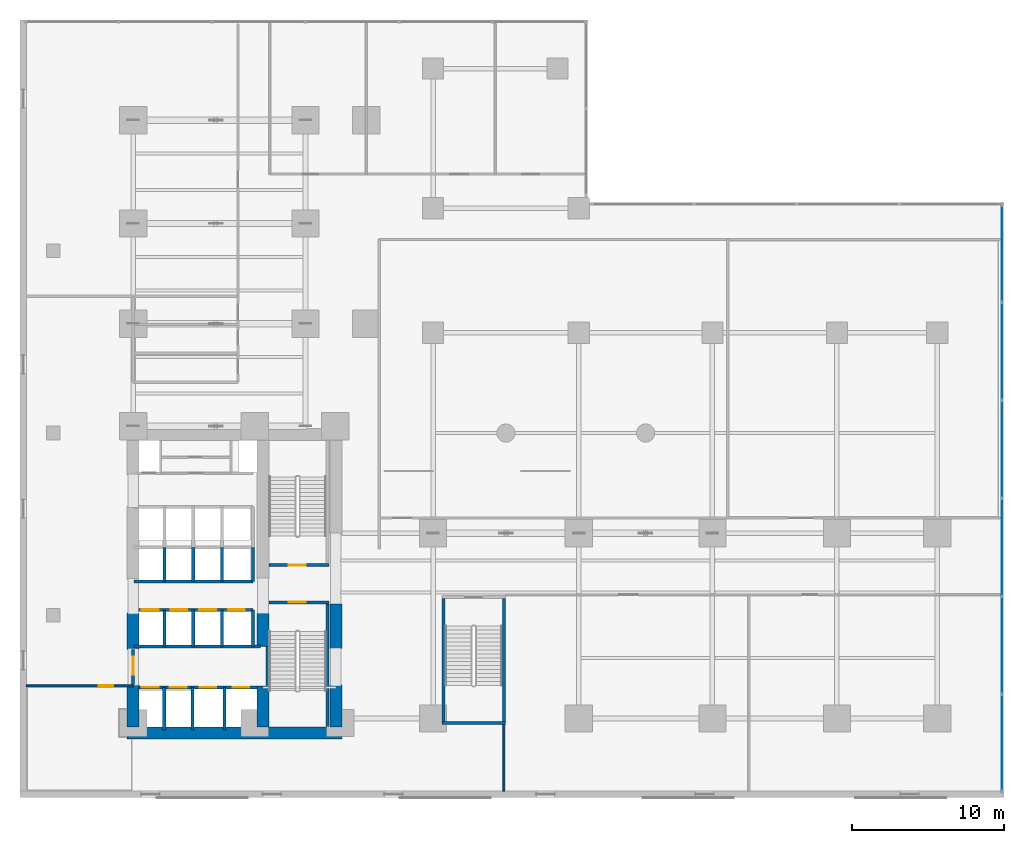
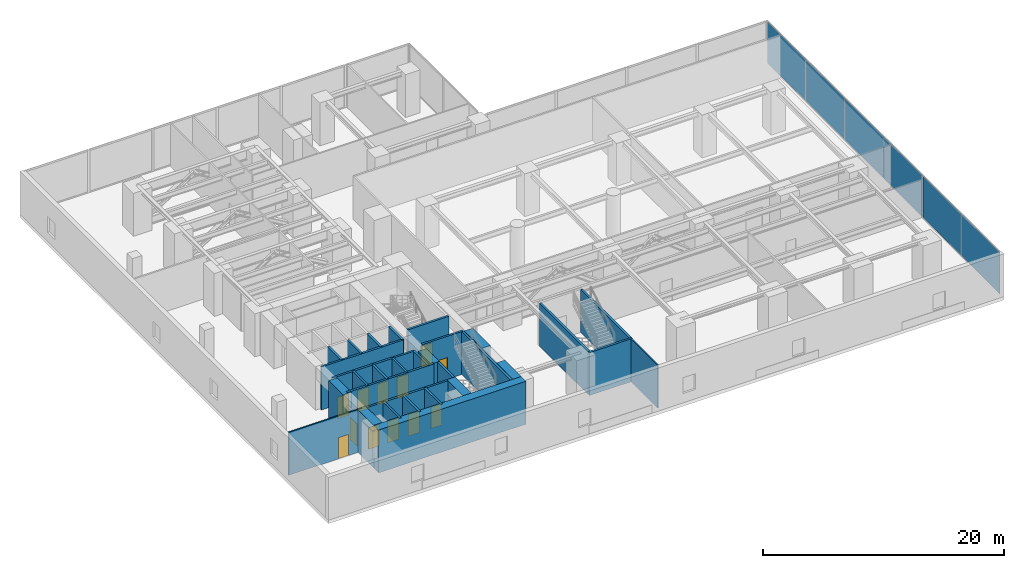
# One storey, part 14 of 18: 32 walls, 12 doors, 6 plates, 12 openings, 1 element without a shape of its own.
"""IFC4 building model written with IfcOpenShell, lengths in metres."""

from ifc_helpers import new_model, si_unit, direction, frame, frame_2d, origin, origin_with_axes, origin_2d, place, context, subcontext, project, spatial, rectangle, extrude, source, transform, mapped, material, layer, layer_set, type_object, element, fill, aggregate, save


model = new_model("IFC4")

# Units and contexts
model_context = context("Model", 3, precision=1e-05, world=origin(), true_north=direction((0.0, 1.0)))
body_context = subcontext(model_context, "Body", "Model", "MODEL_VIEW")
ifc_project = project(units=[si_unit("LENGTHUNIT", "METRE"), si_unit("AREAUNIT", "SQUARE_METRE"), si_unit("VOLUMEUNIT", "CUBIC_METRE"), si_unit("PLANEANGLEUNIT", "RADIAN"), si_unit("MASSUNIT", "GRAM", prefix="KILO")], contexts=[model_context])

# Site, building, storey
site_placement = place(None, origin())
site = spatial("IfcSite", under=ifc_project, at=site_placement, CompositionType="ELEMENT")
building_placement = place(site_placement, origin())
building = spatial("IfcBuilding", under=site, at=building_placement, Name="Kolvaren Waterfront Exchange", CompositionType="ELEMENT")
storey_placement = place(building_placement, frame((0.0, 0.0, 24.800048828125)))
storey = spatial("IfcBuildingStorey", under=building, at=storey_placement, Name="L06", CompositionType="ELEMENT", Elevation=24.800048828125)

# Curtain wall, plates
ifc_material_1 = material(Name="Anodised bronze aluminium 6063-T6", Category="aluminium")
ifc_layer_1 = layer(ifc_material_1, 0.219970703125, Name="Anodised bronze aluminium 6063-T6")
ifc_layer_set_1 = layer_set([ifc_layer_1], Name="Anodised bronze aluminium 6063-T6")
curtain_wall_type = type_object("IfcCurtainWallType", Name="ARC-CW-SYS4", PredefinedType="USERDEFINED", material=ifc_layer_set_1)
curtain_wall_placement = place(storey_placement, origin())
curtain_wall = element("IfcCurtainWall", 1, at=curtain_wall_placement, inside=storey, type_object=curtain_wall_type, Name="L06 stick curtain wall CW4 (CW-L06-E1)", ObjectType="STICK CURTAIN WALL", PredefinedType="USERDEFINED")
ifc_material_2 = material(Name="High-span laminated vision glass", Category="glass")
ifc_layer_2 = layer(ifc_material_2, 0.035888671875, Name="High-span laminated vision glass")
ifc_layer_set_2 = layer_set([ifc_layer_2], Name="High-span laminated vision glass")
plate_type = type_object("IfcPlateType", Name="ARC-CWP-36", PredefinedType="CURTAIN_PANEL", material=ifc_layer_set_2)
shared_shape_1 = source(origin_with_axes(), body_context, "Body", "SweptSolid", [
    extrude(rectangle(XDim=6.331787109375, YDim=0.035888671875, at=origin_2d()), origin(), (0.0, 0.0, 1.0), 4.199951171875),
])
plate_1_placement = place(storey_placement, frame((64.659912109375, 3.595947265625, 0.0751953125), z_axis=(0.0, 0.0, 1.0), x_axis=(0.0, 1.0, 0.0)))
plate_1 = element("IfcPlate", 2, at=plate_1_placement, type_object=plate_type, Name="CW4 panel 1.1", PredefinedType="CURTAIN_PANEL", context=body_context, shape_type="MappedRepresentation", body=[
    mapped(shared_shape_1, transform((0.0, 0.0, 0.0), x_axis=(1.0, 0.0, 0.0), y_axis=(0.0, 1.0, 0.0), z_axis=(0.0, 0.0, 1.0), scale=1.0)),
])
plate_2_placement = place(storey_placement, frame((64.659912109375, 35.814208984375, 0.0751953125), z_axis=(0.0, 0.0, 1.0), x_axis=(0.0, 1.0, 0.0)))
plate_2 = element("IfcPlate", 3, at=plate_2_placement, type_object=plate_type, Name="CW4 panel 6.1", PredefinedType="CURTAIN_PANEL", context=body_context, shape_type="MappedRepresentation", body=[
    mapped(shared_shape_1, transform((0.0, 0.0, 0.0), x_axis=(1.0, 0.0, 0.0), y_axis=(0.0, 1.0, 0.0), z_axis=(0.0, 0.0, 1.0), scale=1.0)),
])
shared_shape_2 = source(origin_with_axes(), body_context, "Body", "SweptSolid", [
    extrude(rectangle(XDim=6.37158203125, YDim=0.035888671875, at=origin_2d()), origin(), (0.0, 0.0, 1.0), 4.199951171875),
])
plate_3_placement = place(storey_placement, frame((64.659912109375, 10.027587890625, 0.0751953125), z_axis=(0.0, 0.0, 1.0), x_axis=(0.0, 1.0, 0.0)))
plate_3 = element("IfcPlate", 4, at=plate_3_placement, type_object=plate_type, Name="CW4 panel 2.1", PredefinedType="CURTAIN_PANEL", context=body_context, shape_type="MappedRepresentation", body=[
    mapped(shared_shape_2, transform((0.0, 0.0, 0.0), x_axis=(1.0, 0.0, 0.0), y_axis=(0.0, 1.0, 0.0), z_axis=(0.0, 0.0, 1.0), scale=1.0)),
])
plate_4_placement = place(storey_placement, frame((64.659912109375, 16.479248046875, 0.0751953125), z_axis=(0.0, 0.0, 1.0), x_axis=(0.0, 1.0, 0.0)))
plate_4 = element("IfcPlate", 5, at=plate_4_placement, type_object=plate_type, Name="CW4 panel 3.1", PredefinedType="CURTAIN_PANEL", context=body_context, shape_type="MappedRepresentation", body=[
    mapped(shared_shape_2, transform((0.0, 0.0, 0.0), x_axis=(1.0, 0.0, 0.0), y_axis=(0.0, 1.0, 0.0), z_axis=(0.0, 0.0, 1.0), scale=1.0)),
])
plate_5_placement = place(storey_placement, frame((64.659912109375, 22.930908203125, 0.0751953125), z_axis=(0.0, 0.0, 1.0), x_axis=(0.0, 1.0, 0.0)))
plate_5 = element("IfcPlate", 6, at=plate_5_placement, type_object=plate_type, Name="CW4 panel 4.1", PredefinedType="CURTAIN_PANEL", context=body_context, shape_type="MappedRepresentation", body=[
    mapped(shared_shape_2, transform((0.0, 0.0, 0.0), x_axis=(1.0, 0.0, 0.0), y_axis=(0.0, 1.0, 0.0), z_axis=(0.0, 0.0, 1.0), scale=1.0)),
])
plate_6_placement = place(storey_placement, frame((64.659912109375, 29.382568359375, 0.0751953125), z_axis=(0.0, 0.0, 1.0), x_axis=(0.0, 1.0, 0.0)))
plate_6 = element("IfcPlate", 7, at=plate_6_placement, type_object=plate_type, Name="CW4 panel 5.1", PredefinedType="CURTAIN_PANEL", context=body_context, shape_type="MappedRepresentation", body=[
    mapped(shared_shape_2, transform((0.0, 0.0, 0.0), x_axis=(1.0, 0.0, 0.0), y_axis=(0.0, 1.0, 0.0), z_axis=(0.0, 0.0, 1.0), scale=1.0)),
])
aggregate(curtain_wall, [plate_1, plate_3, plate_4, plate_5, plate_6, plate_2])

# Wall, opening, door
ifc_material_3 = material(Name="Precast concrete C40/50", Category="concrete")
ifc_layer_3 = layer(ifc_material_3, 0.199951171875, Name="Precast concrete C40/50")
ifc_layer_set_3 = layer_set([ifc_layer_3], Name="Precast concrete C40/50")
wall_type_1 = type_object("IfcWallType", Name="ARC-FIRE-200", PredefinedType="PARTITIONING", material=ifc_layer_set_3)
wall_1_placement = place(storey_placement, frame((16.39990234375, 12.85009765625, 0.0), z_axis=(0.0, 0.0, 1.0), x_axis=(1.0, 0.0, 0.0)))
wall_1 = element("IfcWall", 8, at=wall_1_placement, inside=storey, type_object=wall_type_1, Name="L06 interior wall PW-L06-ST1-THROAT-S", PredefinedType="PARTITIONING", context=body_context, shape_type="SweptSolid", body=[
    extrude(rectangle(XDim=3.960205078125, YDim=0.199951171875, at=frame_2d((1.97998046875, 0.0))), origin(), (0.0, 0.0, 1.0), 4.349853515625),
])
opening_1_placement = place(wall_1_placement, frame((1.3037109375, 0.0, 0.0)))
opening_1 = element("IfcOpeningElement", 9, at=opening_1_placement, cuts=wall_1, Name="Opening FD2", PredefinedType="OPENING", context=body_context, shape_type="SweptSolid", body=[
    extrude(rectangle(XDim=1.10009765625, YDim=2.199951171875, at=frame_2d((0.550048828125, 1.10009765625))), frame((0.0, 0.10986328125, 0.0), z_axis=(0.0, -1.0, 0.0), x_axis=(1.0, 0.0, 0.0)), (0.0, 0.0, 1.0), 0.219970703125),
])
ifc_material_4 = material(Name="Pressed steel smoke-seal fire door", Category="steel")
door_type_1 = type_object("IfcDoorType", Name="ARC-FD-1100", OperationType="NOTDEFINED", PredefinedType="DOOR", material=ifc_material_4)
door_1_placement = place(opening_1_placement, frame((1.10009765625, 0.0, 0.0), z_axis=(0.0, 0.0, 1.0), x_axis=(-1.0, 0.0, 0.0)))
door_1 = element("IfcDoor", 10, at=door_1_placement, inside=storey, type_object=door_type_1, Name="L06 door DR-L06-ST1-IN (FD2)", OperationType="SINGLE_SWING_LEFT", OverallHeight=2.199951171875, OverallWidth=1.10009765625, PredefinedType="DOOR", context=body_context, shape_type="SweptSolid", body=[
    extrude(rectangle(XDim=1.10009765625, YDim=2.199951171875, at=frame_2d((0.550048828125, 1.10009765625))), frame((0.0, 0.02490234375, 0.0), z_axis=(0.0, -1.0, 0.0), x_axis=(1.0, 0.0, 0.0)), (0.0, 0.0, 1.0), 0.050048828125),
])
fill(opening_1, door_1)

wall_2_placement = place(storey_placement, frame((16.409912109375, 15.300048828125, 0.0), z_axis=(0.0, 0.0, 1.0), x_axis=(1.0, 0.0, 0.0)))
wall_2 = element("IfcWall", 11, at=wall_2_placement, inside=storey, type_object=wall_type_1, Name="L06 interior wall PW-L06-ST2-THROAT-N", PredefinedType="PARTITIONING", context=body_context, shape_type="SweptSolid", body=[
    extrude(rectangle(XDim=3.9501953125, YDim=0.199951171875, at=frame_2d((1.97509765625, 0.0))), origin(), (0.0, 0.0, 1.0), 4.349853515625),
])
opening_2_placement = place(wall_2_placement, frame((1.293701171875, 0.0, 0.0)))
opening_2 = element("IfcOpeningElement", 12, at=opening_2_placement, cuts=wall_2, Name="Opening FD2", PredefinedType="OPENING", context=body_context, shape_type="SweptSolid", body=[
    extrude(rectangle(XDim=1.10009765625, YDim=2.199951171875, at=frame_2d((0.550048828125, 1.10009765625))), frame((0.0, 0.10986328125, 0.0), z_axis=(0.0, -1.0, 0.0), x_axis=(1.0, 0.0, 0.0)), (0.0, 0.0, 1.0), 0.219970703125),
])
door_2_placement = place(opening_2_placement, origin())
door_2 = element("IfcDoor", 13, at=door_2_placement, inside=storey, type_object=door_type_1, Name="L06 door DR-L06-ST2-IN (FD2)", OperationType="SINGLE_SWING_RIGHT", OverallHeight=2.199951171875, OverallWidth=1.10009765625, PredefinedType="DOOR", context=body_context, shape_type="SweptSolid", body=[
    extrude(rectangle(XDim=1.10009765625, YDim=2.199951171875, at=frame_2d((0.550048828125, 1.10009765625))), frame((0.0, 0.02490234375, 0.0), z_axis=(0.0, -1.0, 0.0), x_axis=(1.0, 0.0, 0.0)), (0.0, 0.0, 1.0), 0.050048828125),
])
fill(opening_2, door_2)

# Wall
wall_3_placement = place(storey_placement, frame((7.5, 9.949951171875, 0.0), z_axis=(0.0, 0.0, 1.0), x_axis=(1.0, 0.0, 0.0)))
element("IfcWall", 14, at=wall_3_placement, inside=storey, type_object=wall_type_1, Name="L06 interior wall PW-L06-FF-N", PredefinedType="PARTITIONING", context=body_context, shape_type="SweptSolid", body=[
    extrude(rectangle(XDim=8.35009765625, YDim=0.199951171875, at=frame_2d((4.175048828125, 0.0))), origin(), (0.0, 0.0, 1.0), 4.349853515625),
])

# Wall, opening, door
wall_4_placement = place(storey_placement, frame((7.449951171875, 7.449951171875, 0.0), z_axis=(0.0, 0.0, 1.0), x_axis=(0.0, 1.0, 0.0)))
wall_4 = element("IfcWall", 15, at=wall_4_placement, inside=storey, type_object=wall_type_1, Name="L06 interior wall PW-L06-FF-W-DOOR", PredefinedType="PARTITIONING", context=body_context, shape_type="SweptSolid", body=[
    extrude(rectangle(XDim=2.300048828125, YDim=0.199951171875, at=frame_2d((1.14990234375, 0.0))), origin(), (0.0, 0.0, 1.0), 3.1298828125),
])
opening_3_placement = place(wall_4_placement, frame((0.63330078125, 0.0, 0.0)))
opening_3 = element("IfcOpeningElement", 16, at=opening_3_placement, cuts=wall_4, Name="Opening FD3", PredefinedType="OPENING", context=body_context, shape_type="SweptSolid", body=[
    extrude(rectangle(XDim=1.199951171875, YDim=2.25, at=frame_2d((0.60009765625, 1.125))), frame((0.0, 0.10986328125, 0.0), z_axis=(0.0, -1.0, 0.0), x_axis=(1.0, 0.0, 0.0)), (0.0, 0.0, 1.0), 0.219970703125),
])
ifc_material_5 = material(Name="Pressed steel fire door", Category="steel")
door_type_2 = type_object("IfcDoorType", Name="ARC-FD-1200", OperationType="NOTDEFINED", PredefinedType="DOOR", material=ifc_material_5)
door_3_placement = place(opening_3_placement, frame((1.199951171875, 0.0, 0.0), z_axis=(0.0, 0.0, 1.0), x_axis=(-1.0, 0.0, 0.0)))
door_3 = element("IfcDoor", 17, at=door_3_placement, inside=storey, type_object=door_type_2, Name="L06 door DR-L06-FF-OUT (FD3)", OperationType="SINGLE_SWING_RIGHT", OverallHeight=2.25, OverallWidth=1.199951171875, PredefinedType="DOOR", context=body_context, shape_type="SweptSolid", body=[
    extrude(rectangle(XDim=1.199951171875, YDim=2.25, at=frame_2d((0.60009765625, 1.125))), frame((0.0, 0.02490234375, 0.0), z_axis=(0.0, -1.0, 0.0), x_axis=(1.0, 0.0, 0.0)), (0.0, 0.0, 1.0), 0.050048828125),
])
fill(opening_3, door_3)

ifc_material_6 = material(Name="Acoustic gypsum steel stud", Category="steel")
ifc_layer_4 = layer(ifc_material_6, 0.125, Name="Acoustic gypsum steel stud")
ifc_layer_set_4 = layer_set([ifc_layer_4], Name="Acoustic gypsum steel stud")
wall_type_2 = type_object("IfcWallType", Name="ARC-PART-125", PredefinedType="PARTITIONING", material=ifc_layer_set_4)
wall_5_placement = place(storey_placement, frame((0.419921875, 7.35009765625, 0.0), z_axis=(0.0, 0.0, 1.0), x_axis=(1.0, 0.0, 0.0)))
wall_5 = element("IfcWall", 18, at=wall_5_placement, inside=storey, type_object=wall_type_2, Name="L06 interior wall PW-L06-POD-WS-N", PredefinedType="PARTITIONING", context=body_context, shape_type="SweptSolid", body=[
    extrude(rectangle(XDim=7.030029296875, YDim=0.125, at=frame_2d((3.51513671875, 0.0))), origin(), (0.0, 0.0, 1.0), 4.349853515625),
])
opening_4_placement = place(wall_5_placement, frame((4.780029296875, 0.0, 0.0)))
opening_4 = element("IfcOpeningElement", 19, at=opening_4_placement, cuts=wall_5, Name="Opening D02", PredefinedType="OPENING", context=body_context, shape_type="SweptSolid", body=[
    extrude(rectangle(XDim=0.949951171875, YDim=2.14990234375, at=frame_2d((0.47509765625, 1.074951171875))), frame((0.0, 0.072509765625, 0.0), z_axis=(0.0, -1.0, 0.0), x_axis=(1.0, 0.0, 0.0)), (0.0, 0.0, 1.0), 0.14501953125),
])
ifc_material_7 = material(Name="Oak veneer acoustic timber", Category="wood")
door_type_3 = type_object("IfcDoorType", Name="ARC-DR-950", OperationType="NOTDEFINED", PredefinedType="DOOR", material=ifc_material_7)
door_4_placement = place(opening_4_placement, origin())
door_4 = element("IfcDoor", 20, at=door_4_placement, inside=storey, type_object=door_type_3, Name="L06 door DR-L06-POD-WS-D (D02)", OperationType="SINGLE_SWING_LEFT", OverallHeight=2.14990234375, OverallWidth=0.949951171875, PredefinedType="DOOR", context=body_context, shape_type="SweptSolid", body=[
    extrude(rectangle(XDim=0.949951171875, YDim=2.14990234375, at=frame_2d((0.47509765625, 1.074951171875))), frame((0.0, 0.02490234375, 0.0), z_axis=(0.0, -1.0, 0.0), x_axis=(1.0, 0.0, 0.0)), (0.0, 0.0, 1.0), 0.050048828125),
])
fill(opening_4, door_4)

# Walls
wall_6_placement = place(storey_placement, frame((31.860107421875, 0.419921875, 0.0), z_axis=(0.0, 0.0, 1.0), x_axis=(0.0, 1.0, 0.0)))
element("IfcWall", 21, at=wall_6_placement, inside=storey, type_object=wall_type_2, Name="L06 interior wall PW-L06-POD-SE-W", PredefinedType="PARTITIONING", context=body_context, shape_type="SweptSolid", body=[
    extrude(rectangle(XDim=4.380126953125, YDim=0.125, at=frame_2d((2.18994140625, 0.0))), origin(), (0.0, 0.0, 1.0), 4.349853515625),
])
ifc_material_8 = material(Name="Concrete C40/50", Category="concrete")
ifc_layer_5 = layer(ifc_material_8, 0.199951171875, Name="Concrete C40/50")
ifc_layer_set_5 = layer_set([ifc_layer_5], Name="Concrete C40/50")
wall_type_3 = type_object("IfcWallType", Name="ARC-SHAFT-200", PredefinedType="PARTITIONING", material=ifc_layer_set_5)
wall_7_placement = place(storey_placement, frame((16.300048828125, 7.360107421875, 0.0), z_axis=(0.0, 0.0, 1.0), x_axis=(0.0, 1.0, 0.0)))
element("IfcWall", 22, at=wall_7_placement, inside=storey, type_object=wall_type_3, Name="L06 structural stairwell wall PW-L06-ST1-W", PredefinedType="SHEAR", context=body_context, shape_type="SweptSolid", body=[
    extrude(rectangle(XDim=2.579833984375, YDim=0.199951171875, at=frame_2d((1.2900390625, 0.0))), origin(), (0.0, 0.0, 1.0), 4.349853515625),
])
wall_8_placement = place(storey_placement, frame((20.260009765625, 4.659912109375, 0.0), z_axis=(0.0, 0.0, 1.0), x_axis=(0.0, 1.0, 0.0)))
element("IfcWall", 23, at=wall_8_placement, inside=storey, type_object=wall_type_3, Name="L06 structural stairwell wall PW-L06-ST1-E", PredefinedType="SHEAR", context=body_context, shape_type="SweptSolid", body=[
    extrude(rectangle(XDim=8.090087890625, YDim=0.199951171875, at=frame_2d((4.044921875, 0.0))), origin(), (0.0, 0.0, 1.0), 4.349853515625),
])
for number, where, z_axis, x_axis, name in (
    (24, (27.89990234375, 5.0, 0.0), (0.0, 0.0, 1.0), (0.0, 1.0, 0.0), "L06 structural stairwell wall PW-L06-ST3-W"),
    (25, (31.860107421875, 5.0, 0.0), (0.0, 0.0, 1.0), (0.0, 1.0, 0.0), "L06 structural stairwell wall PW-L06-ST3-E"),
):
    element("IfcWall", number, at=place(storey_placement, frame(where, z_axis=z_axis, x_axis=x_axis)), inside=storey, type_object=wall_type_3, Name=name, PredefinedType="SHEAR", context=body_context, shape_type="SweptSolid", body=[
        extrude(rectangle(XDim=8.10009765625, YDim=0.199951171875, at=frame_2d((4.050048828125, 0.0))), origin(), (0.0, 0.0, 1.0), 4.349853515625),
    ])
wall_9_placement = place(storey_placement, frame((27.800048828125, 4.89990234375, 0.0), z_axis=(0.0, 0.0, 1.0), x_axis=(1.0, 0.0, 0.0)))
element("IfcWall", 26, at=wall_9_placement, inside=storey, type_object=wall_type_3, Name="L06 structural stairwell wall PW-L06-ST3-S", PredefinedType="SHEAR", context=body_context, shape_type="SweptSolid", body=[
    extrude(rectangle(XDim=4.159912109375, YDim=0.199951171875, at=frame_2d((2.080078125, 0.0))), origin(), (0.0, 0.0, 1.0), 4.349853515625),
])

# Wall, openings, doors
wall_10_placement = place(storey_placement, frame((7.5, 7.25, 0.0), z_axis=(0.0, 0.0, 1.0), x_axis=(1.0, 0.0, 0.0)))
wall_10 = element("IfcWall", 27, at=wall_10_placement, inside=storey, type_object=wall_type_3, Name="L06 interior wall PW-L06-FF-S", PredefinedType="PARTITIONING", context=body_context, shape_type="SweptSolid", body=[
    extrude(rectangle(XDim=8.35009765625, YDim=0.199951171875, at=frame_2d((4.175048828125, 0.0))), origin(), (0.0, 0.0, 1.0), 4.349853515625),
])
opening_5_placement = place(wall_10_placement, frame((0.530029296875, 0.0, 0.0)))
opening_5 = element("IfcOpeningElement", 28, at=opening_5_placement, cuts=wall_10, Name="Opening LD1", PredefinedType="OPENING", context=body_context, shape_type="SweptSolid", body=[
    extrude(rectangle(XDim=1.10009765625, YDim=2.199951171875, at=frame_2d((0.550048828125, 1.10009765625))), frame((0.0, 0.10986328125, 0.0), z_axis=(0.0, -1.0, 0.0), x_axis=(1.0, 0.0, 0.0)), (0.0, 0.0, 1.0), 0.219970703125),
])
opening_6_placement = place(wall_10_placement, frame((2.3701171875, 0.0, 0.0)))
opening_6 = element("IfcOpeningElement", 29, at=opening_6_placement, cuts=wall_10, Name="Opening LD1", PredefinedType="OPENING", context=body_context, shape_type="SweptSolid", body=[
    extrude(rectangle(XDim=1.10009765625, YDim=2.199951171875, at=frame_2d((0.550048828125, 1.10009765625))), frame((0.0, 0.10986328125, 0.0), z_axis=(0.0, -1.0, 0.0), x_axis=(1.0, 0.0, 0.0)), (0.0, 0.0, 1.0), 0.219970703125),
])
opening_7_placement = place(wall_10_placement, frame((4.330078125, 0.0, 0.0)))
opening_7 = element("IfcOpeningElement", 30, at=opening_7_placement, cuts=wall_10, Name="Opening LD1", PredefinedType="OPENING", context=body_context, shape_type="SweptSolid", body=[
    extrude(rectangle(XDim=1.10009765625, YDim=2.199951171875, at=frame_2d((0.550048828125, 1.10009765625))), frame((0.0, 0.10986328125, 0.0), z_axis=(0.0, -1.0, 0.0), x_axis=(1.0, 0.0, 0.0)), (0.0, 0.0, 1.0), 0.219970703125),
])
opening_8_placement = place(wall_10_placement, frame((6.5, 0.0, 0.0)))
opening_8 = element("IfcOpeningElement", 31, at=opening_8_placement, cuts=wall_10, Name="Opening LD1", PredefinedType="OPENING", context=body_context, shape_type="SweptSolid", body=[
    extrude(rectangle(XDim=1.10009765625, YDim=2.199951171875, at=frame_2d((0.550048828125, 1.10009765625))), frame((0.0, 0.10986328125, 0.0), z_axis=(0.0, -1.0, 0.0), x_axis=(1.0, 0.0, 0.0)), (0.0, 0.0, 1.0), 0.219970703125),
])
ifc_material_9 = material(Name="Stainless steel sliding landing door", Category="steel")
door_type_4 = type_object("IfcDoorType", Name="ARC-LD-FF", OperationType="SLIDING_TO_LEFT", PredefinedType="DOOR", material=ifc_material_9)
door_5_placement = place(opening_5_placement, origin())
door_5 = element("IfcDoor", 32, at=door_5_placement, inside=storey, type_object=door_type_4, Name="L06 door LD-L06-FFL1 (LD1)", OperationType="SLIDING_TO_LEFT", OverallHeight=2.199951171875, OverallWidth=1.10009765625, PredefinedType="DOOR", context=body_context, shape_type="SweptSolid", body=[
    extrude(rectangle(XDim=1.10009765625, YDim=2.199951171875, at=frame_2d((0.550048828125, 1.10009765625))), frame((0.0, 0.02490234375, 0.0), z_axis=(0.0, -1.0, 0.0), x_axis=(1.0, 0.0, 0.0)), (0.0, 0.0, 1.0), 0.050048828125),
])
fill(opening_5, door_5)
door_6_placement = place(opening_6_placement, origin())
door_6 = element("IfcDoor", 33, at=door_6_placement, inside=storey, type_object=door_type_4, Name="L06 door LD-L06-FFL2 (LD1)", OperationType="SLIDING_TO_LEFT", OverallHeight=2.199951171875, OverallWidth=1.10009765625, PredefinedType="DOOR", context=body_context, shape_type="SweptSolid", body=[
    extrude(rectangle(XDim=1.10009765625, YDim=2.199951171875, at=frame_2d((0.550048828125, 1.10009765625))), frame((0.0, 0.02490234375, 0.0), z_axis=(0.0, -1.0, 0.0), x_axis=(1.0, 0.0, 0.0)), (0.0, 0.0, 1.0), 0.050048828125),
])
fill(opening_6, door_6)
door_7_placement = place(opening_7_placement, origin())
door_7 = element("IfcDoor", 34, at=door_7_placement, inside=storey, type_object=door_type_4, Name="L06 door LD-L06-GL1 (LD1)", OperationType="SLIDING_TO_LEFT", OverallHeight=2.199951171875, OverallWidth=1.10009765625, PredefinedType="DOOR", context=body_context, shape_type="SweptSolid", body=[
    extrude(rectangle(XDim=1.10009765625, YDim=2.199951171875, at=frame_2d((0.550048828125, 1.10009765625))), frame((0.0, 0.02490234375, 0.0), z_axis=(0.0, -1.0, 0.0), x_axis=(1.0, 0.0, 0.0)), (0.0, 0.0, 1.0), 0.050048828125),
])
fill(opening_7, door_7)
door_8_placement = place(opening_8_placement, origin())
door_8 = element("IfcDoor", 35, at=door_8_placement, inside=storey, type_object=door_type_4, Name="L06 door LD-L06-GL2 (LD1)", OperationType="SLIDING_TO_LEFT", OverallHeight=2.199951171875, OverallWidth=1.10009765625, PredefinedType="DOOR", context=body_context, shape_type="SweptSolid", body=[
    extrude(rectangle(XDim=1.10009765625, YDim=2.199951171875, at=frame_2d((0.550048828125, 1.10009765625))), frame((0.0, 0.02490234375, 0.0), z_axis=(0.0, -1.0, 0.0), x_axis=(1.0, 0.0, 0.0)), (0.0, 0.0, 1.0), 0.050048828125),
])
fill(opening_8, door_8)

# Walls
for number, where, z_axis, x_axis, name in (
    (36, (9.5, 4.449951171875, 0.0), (0.0, 0.0, 1.0), (0.0, 1.0, 0.0), "L06 interior wall PW-L06-SH1-DIV-95"),
    (37, (11.360107421875, 4.449951171875, 0.0), (0.0, 0.0, 1.0), (0.0, 1.0, 0.0), "L06 interior wall PW-L06-SH1-DIV-113"),
    (38, (13.4599609375, 4.449951171875, 0.0), (0.0, 0.0, 1.0), (0.0, 1.0, 0.0), "L06 interior wall PW-L06-SH1-DIV-134"),
):
    element("IfcWall", number, at=place(storey_placement, frame(where, z_axis=z_axis, x_axis=x_axis)), inside=storey, type_object=wall_type_3, Name=name, PredefinedType="PARTITIONING", context=body_context, shape_type="SweptSolid", body=[
        extrude(rectangle(XDim=2.800048828125, YDim=0.199951171875, at=frame_2d((1.39990234375, 0.0))), origin(), (0.0, 0.0, 1.0), 4.349853515625),
    ])

# Wall, openings, doors
wall_11_placement = place(storey_placement, frame((7.5, 12.360107421875, 0.0), z_axis=(0.0, 0.0, 1.0), x_axis=(1.0, 0.0, 0.0)))
wall_11 = element("IfcWall", 39, at=wall_11_placement, inside=storey, type_object=wall_type_3, Name="L06 interior wall PW-L06-PL-N", PredefinedType="PARTITIONING", context=body_context, shape_type="SweptSolid", body=[
    extrude(rectangle(XDim=7.85009765625, YDim=0.199951171875, at=frame_2d((3.925048828125, 0.0))), origin(), (0.0, 0.0, 1.0), 4.349853515625),
])
opening_9_placement = place(wall_11_placement, frame((0.530029296875, 0.0, 0.0)))
opening_9 = element("IfcOpeningElement", 40, at=opening_9_placement, cuts=wall_11, Name="Opening LD2", PredefinedType="OPENING", context=body_context, shape_type="SweptSolid", body=[
    extrude(rectangle(XDim=1.10009765625, YDim=2.199951171875, at=frame_2d((0.550048828125, 1.10009765625))), frame((0.0, 0.10986328125, 0.0), z_axis=(0.0, -1.0, 0.0), x_axis=(1.0, 0.0, 0.0)), (0.0, 0.0, 1.0), 0.219970703125),
])
opening_10_placement = place(wall_11_placement, frame((2.419921875, 0.0, 0.0)))
opening_10 = element("IfcOpeningElement", 41, at=opening_10_placement, cuts=wall_11, Name="Opening LD2", PredefinedType="OPENING", context=body_context, shape_type="SweptSolid", body=[
    extrude(rectangle(XDim=1.10009765625, YDim=2.199951171875, at=frame_2d((0.550048828125, 1.10009765625))), frame((0.0, 0.10986328125, 0.0), z_axis=(0.0, -1.0, 0.0), x_axis=(1.0, 0.0, 0.0)), (0.0, 0.0, 1.0), 0.219970703125),
])
opening_11_placement = place(wall_11_placement, frame((4.31005859375, 0.0, 0.0)))
opening_11 = element("IfcOpeningElement", 42, at=opening_11_placement, cuts=wall_11, Name="Opening LD2", PredefinedType="OPENING", context=body_context, shape_type="SweptSolid", body=[
    extrude(rectangle(XDim=1.10009765625, YDim=2.199951171875, at=frame_2d((0.550048828125, 1.10009765625))), frame((0.0, 0.10986328125, 0.0), z_axis=(0.0, -1.0, 0.0), x_axis=(1.0, 0.0, 0.0)), (0.0, 0.0, 1.0), 0.219970703125),
])
opening_12_placement = place(wall_11_placement, frame((6.199951171875, 0.0, 0.0)))
opening_12 = element("IfcOpeningElement", 43, at=opening_12_placement, cuts=wall_11, Name="Opening LD2", PredefinedType="OPENING", context=body_context, shape_type="SweptSolid", body=[
    extrude(rectangle(XDim=1.10009765625, YDim=2.199951171875, at=frame_2d((0.550048828125, 1.10009765625))), frame((0.0, 0.10986328125, 0.0), z_axis=(0.0, -1.0, 0.0), x_axis=(1.0, 0.0, 0.0)), (0.0, 0.0, 1.0), 0.219970703125),
])
ifc_material_10 = material(Name="Brushed bronze sliding landing door", Category="aluminium")
door_type_5 = type_object("IfcDoorType", Name="ARC-LD-PAX", OperationType="SLIDING_TO_LEFT", PredefinedType="DOOR", material=ifc_material_10)
door_9_placement = place(opening_9_placement, origin())
door_9 = element("IfcDoor", 44, at=door_9_placement, inside=storey, type_object=door_type_5, Name="L06 door LD-L06-PL1 (LD2)", OperationType="SLIDING_TO_LEFT", OverallHeight=2.199951171875, OverallWidth=1.10009765625, PredefinedType="DOOR", context=body_context, shape_type="SweptSolid", body=[
    extrude(rectangle(XDim=1.10009765625, YDim=2.199951171875, at=frame_2d((0.550048828125, 1.10009765625))), frame((0.0, 0.02490234375, 0.0), z_axis=(0.0, -1.0, 0.0), x_axis=(1.0, 0.0, 0.0)), (0.0, 0.0, 1.0), 0.050048828125),
])
fill(opening_9, door_9)
door_10_placement = place(opening_10_placement, origin())
door_10 = element("IfcDoor", 45, at=door_10_placement, inside=storey, type_object=door_type_5, Name="L06 door LD-L06-PL2 (LD2)", OperationType="SLIDING_TO_LEFT", OverallHeight=2.199951171875, OverallWidth=1.10009765625, PredefinedType="DOOR", context=body_context, shape_type="SweptSolid", body=[
    extrude(rectangle(XDim=1.10009765625, YDim=2.199951171875, at=frame_2d((0.550048828125, 1.10009765625))), frame((0.0, 0.02490234375, 0.0), z_axis=(0.0, -1.0, 0.0), x_axis=(1.0, 0.0, 0.0)), (0.0, 0.0, 1.0), 0.050048828125),
])
fill(opening_10, door_10)
door_11_placement = place(opening_11_placement, origin())
door_11 = element("IfcDoor", 46, at=door_11_placement, inside=storey, type_object=door_type_5, Name="L06 door LD-L06-PL3 (LD2)", OperationType="SLIDING_TO_LEFT", OverallHeight=2.199951171875, OverallWidth=1.10009765625, PredefinedType="DOOR", context=body_context, shape_type="SweptSolid", body=[
    extrude(rectangle(XDim=1.10009765625, YDim=2.199951171875, at=frame_2d((0.550048828125, 1.10009765625))), frame((0.0, 0.02490234375, 0.0), z_axis=(0.0, -1.0, 0.0), x_axis=(1.0, 0.0, 0.0)), (0.0, 0.0, 1.0), 0.050048828125),
])
fill(opening_11, door_11)
door_12_placement = place(opening_12_placement, origin())
door_12 = element("IfcDoor", 47, at=door_12_placement, inside=storey, type_object=door_type_5, Name="L06 door LD-L06-PL4 (LD2)", OperationType="SLIDING_TO_LEFT", OverallHeight=2.199951171875, OverallWidth=1.10009765625, PredefinedType="DOOR", context=body_context, shape_type="SweptSolid", body=[
    extrude(rectangle(XDim=1.10009765625, YDim=2.199951171875, at=frame_2d((0.550048828125, 1.10009765625))), frame((0.0, 0.02490234375, 0.0), z_axis=(0.0, -1.0, 0.0), x_axis=(1.0, 0.0, 0.0)), (0.0, 0.0, 1.0), 0.050048828125),
])
fill(opening_12, door_12)

# Walls
for number, where, z_axis, x_axis, name in (
    (48, (15.35009765625, 9.949951171875, 0.0), (0.0, 0.0, 1.0), (0.0, 1.0, 0.0), "L06 interior wall PW-L06-PL-E"),
    (49, (9.52001953125, 9.949951171875, 0.0), (0.0, 0.0, 1.0), (0.0, 1.0, 0.0), "L06 interior wall PW-L06-SH2-DIV-95"),
    (50, (11.409912109375, 9.949951171875, 0.0), (0.0, 0.0, 1.0), (0.0, 1.0, 0.0), "L06 interior wall PW-L06-SH2-DIV-114"),
    (51, (13.300048828125, 9.949951171875, 0.0), (0.0, 0.0, 1.0), (0.0, 1.0, 0.0), "L06 interior wall PW-L06-SH2-DIV-133"),
):
    element("IfcWall", number, at=place(storey_placement, frame(where, z_axis=z_axis, x_axis=x_axis)), inside=storey, type_object=wall_type_3, Name=name, PredefinedType="PARTITIONING", context=body_context, shape_type="SweptSolid", body=[
        extrude(rectangle(XDim=2.41015625, YDim=0.199951171875, at=frame_2d((1.205078125, 0.0))), origin(), (0.0, 0.0, 1.0), 4.349853515625),
    ])
wall_12_placement = place(storey_placement, frame((7.5, 14.219970703125, 0.0), z_axis=(0.0, 0.0, 1.0), x_axis=(1.0, 0.0, 0.0)))
element("IfcWall", 52, at=wall_12_placement, inside=storey, type_object=wall_type_3, Name="L06 interior wall PW-L06-PM-S", PredefinedType="PARTITIONING", context=body_context, shape_type="SweptSolid", body=[
    extrude(rectangle(XDim=7.85009765625, YDim=0.199951171875, at=frame_2d((3.925048828125, 0.0))), origin(), (0.0, 0.0, 1.0), 4.349853515625),
])
for number, where, z_axis, x_axis, name in (
    (53, (15.35009765625, 14.219970703125, 0.0), (0.0, 0.0, 1.0), (0.0, 1.0, 0.0), "L06 interior wall PW-L06-PM-E"),
    (54, (9.52001953125, 14.219970703125, 0.0), (0.0, 0.0, 1.0), (0.0, 1.0, 0.0), "L06 interior wall PW-L06-SH3-DIV-95"),
    (55, (11.409912109375, 14.219970703125, 0.0), (0.0, 0.0, 1.0), (0.0, 1.0, 0.0), "L06 interior wall PW-L06-SH3-DIV-114"),
    (56, (13.300048828125, 14.219970703125, 0.0), (0.0, 0.0, 1.0), (0.0, 1.0, 0.0), "L06 interior wall PW-L06-SH3-DIV-133"),
):
    element("IfcWall", number, at=place(storey_placement, frame(where, z_axis=z_axis, x_axis=x_axis)), inside=storey, type_object=wall_type_3, Name=name, PredefinedType="PARTITIONING", context=body_context, shape_type="SweptSolid", body=[
        extrude(rectangle(XDim=2.22998046875, YDim=0.199951171875, at=frame_2d((1.114990234375, 0.0))), origin(), (0.0, 0.0, 1.0), 4.349853515625),
    ])
ifc_material_11 = material(Name="Concrete C70/85", Category="concrete")
ifc_layer_6 = layer(ifc_material_11, 0.800048828125, Name="Concrete C70/85")
ifc_layer_set_6 = layer_set([ifc_layer_6], Name="Concrete C70/85")
wall_type_4 = type_object("IfcWallType", Name="STR-CWALL-800", PredefinedType="SHEAR", material=ifc_layer_set_6)
wall_13_placement = place(storey_placement, frame((7.050048828125, 4.25, 0.0), z_axis=(0.0, 0.0, 1.0), x_axis=(1.0, 0.0, 0.0)))
element("IfcWall", 57, at=wall_13_placement, inside=storey, type_object=wall_type_4, Name="L06 rear-core shear wall S", PredefinedType="SHEAR", context=body_context, shape_type="SweptSolid", body=[
    extrude(rectangle(XDim=14.14990234375, YDim=0.800048828125, at=frame_2d((7.074951171875, 0.0))), origin(), (0.0, 0.0, 1.0), 4.349853515625),
])
wall_14_placement = place(storey_placement, frame((7.449951171875, 4.64990234375, 0.0), z_axis=(0.0, 0.0, 1.0), x_axis=(0.0, 1.0, 0.0)))
element("IfcWall", 58, at=wall_14_placement, inside=storey, type_object=wall_type_4, Name="L06 rear-core shear wall W1", PredefinedType="SHEAR", context=body_context, shape_type="SweptSolid", body=[
    extrude(rectangle(XDim=2.800048828125, YDim=0.800048828125, at=frame_2d((1.39990234375, 0.0))), origin(), (0.0, 0.0, 1.0), 4.349853515625),
])
wall_15_placement = place(storey_placement, frame((7.449951171875, 9.75, 0.0), z_axis=(0.0, 0.0, 1.0), x_axis=(0.0, 1.0, 0.0)))
element("IfcWall", 59, at=wall_15_placement, inside=storey, type_object=wall_type_4, Name="L06 rear-core shear wall W2A", PredefinedType="SHEAR", context=body_context, shape_type="SweptSolid", body=[
    extrude(rectangle(XDim=2.39990234375, YDim=0.800048828125, at=frame_2d((1.199951171875, 0.0))), origin(), (0.0, 0.0, 1.0), 4.349853515625),
])
wall_16_placement = place(storey_placement, frame((20.800048828125, 4.64990234375, 0.0), z_axis=(0.0, 0.0, 1.0), x_axis=(0.0, 1.0, 0.0)))
element("IfcWall", 60, at=wall_16_placement, inside=storey, type_object=wall_type_4, Name="L06 rear-core shear wall E1", PredefinedType="SHEAR", context=body_context, shape_type="SweptSolid", body=[
    extrude(rectangle(XDim=2.75, YDim=0.800048828125, at=frame_2d((1.375, 0.0))), origin(), (0.0, 0.0, 1.0), 4.349853515625),
])
wall_17_placement = place(storey_placement, frame((20.800048828125, 9.800048828125, 0.0), z_axis=(0.0, 0.0, 1.0), x_axis=(0.0, 1.0, 0.0)))
element("IfcWall", 61, at=wall_17_placement, inside=storey, type_object=wall_type_4, Name="L06 rear-core shear wall E2", PredefinedType="SHEAR", context=body_context, shape_type="SweptSolid", body=[
    extrude(rectangle(XDim=2.949951171875, YDim=0.800048828125, at=frame_2d((1.47509765625, 0.0))), origin(), (0.0, 0.0, 1.0), 4.349853515625),
])
wall_18_placement = place(storey_placement, frame((16.0, 4.64990234375, 0.0), z_axis=(0.0, 0.0, 1.0), x_axis=(0.0, 1.0, 0.0)))
element("IfcWall", 62, at=wall_18_placement, inside=storey, type_object=wall_type_4, Name="L06 rear-core shear wall M1", PredefinedType="SHEAR", context=body_context, shape_type="SweptSolid", body=[
    extrude(rectangle(XDim=2.7001953125, YDim=0.800048828125, at=frame_2d((1.35009765625, 0.0))), origin(), (0.0, 0.0, 1.0), 4.349853515625),
])
wall_19_placement = place(storey_placement, frame((16.0, 9.949951171875, 0.0), z_axis=(0.0, 0.0, 1.0), x_axis=(0.0, 1.0, 0.0)))
element("IfcWall", 63, at=wall_19_placement, inside=storey, type_object=wall_type_4, Name="L06 rear-core shear wall M2", PredefinedType="SHEAR", context=body_context, shape_type="SweptSolid", body=[
    extrude(rectangle(XDim=2.150146484375, YDim=0.800048828125, at=frame_2d((1.0751953125, 0.0))), origin(), (0.0, 0.0, 1.0), 4.349853515625),
])

save(model, "model.ifc")
